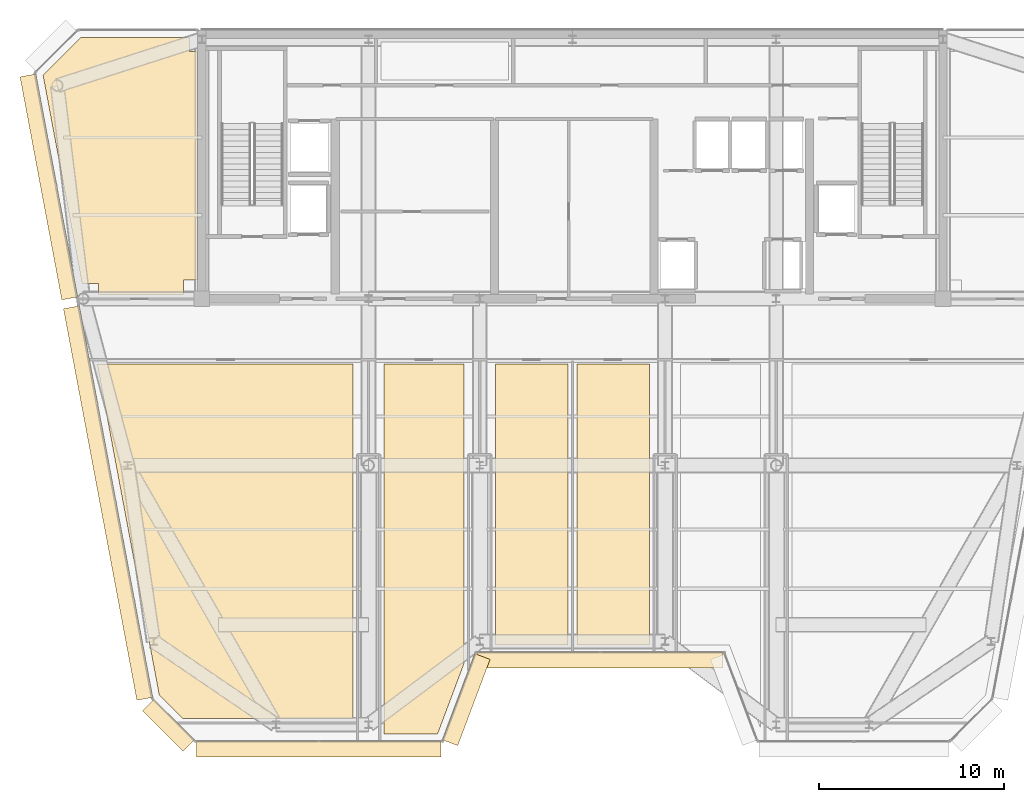
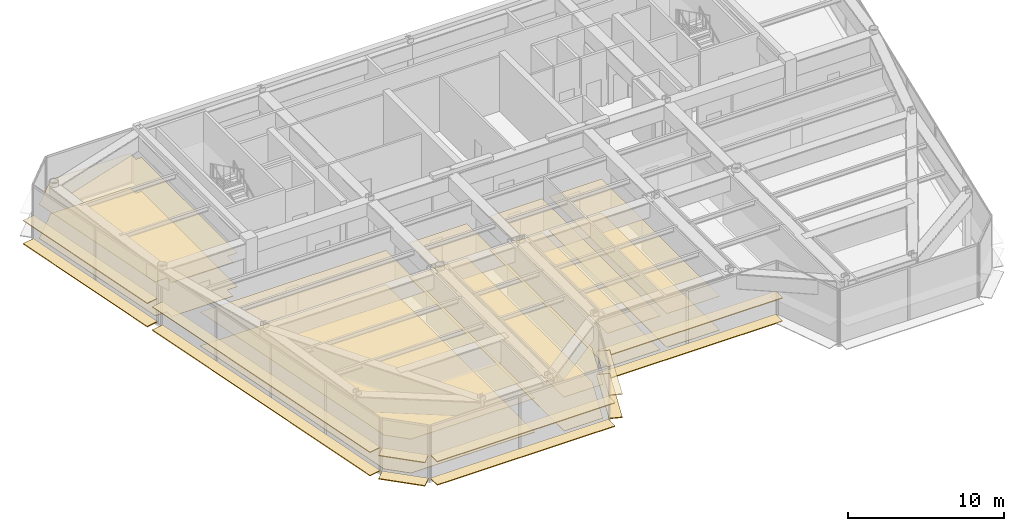
# One storey, part 14 of 20: 22 coverings.
"""IFC4 building model written with IfcOpenShell, lengths in metres."""

from ifc_helpers import new_model, si_unit, direction, frame, origin, origin_2d, place, context, subcontext, project, spatial, polyline, rectangle, outline, extrude, source, transform, mapped, material, layer, layer_set, type_object, element, save


model = new_model("IFC4")

# Units and contexts
model_context = context("Model", 3, precision=1e-05, world=origin(), true_north=direction((0.0, 1.0)))
body_context = subcontext(model_context, "Body", "Model", "MODEL_VIEW")
ifc_project = project(units=[si_unit("LENGTHUNIT", "METRE"), si_unit("AREAUNIT", "SQUARE_METRE"), si_unit("VOLUMEUNIT", "CUBIC_METRE"), si_unit("PLANEANGLEUNIT", "RADIAN"), si_unit("MASSUNIT", "GRAM", prefix="KILO")], contexts=[model_context])

# Site, building, storey
site_placement = place(None, origin())
site = spatial("IfcSite", under=ifc_project, at=site_placement, CompositionType="ELEMENT")
building_placement = place(site_placement, origin())
building = spatial("IfcBuilding", under=site, at=building_placement, Name="Vaeldorn Concourse Tower", CompositionType="ELEMENT")
storey_placement = place(building_placement, frame((0.0, 0.0, 299.199951171875)))
storey = spatial("IfcBuildingStorey", under=building, at=storey_placement, Name="L77", CompositionType="ELEMENT", Elevation=299.199951171875)

# Coverings
ifc_material_1 = material(Name="Acoustic Mineral Fibre Board", Category="gypsum")
ifc_layer_1 = layer(ifc_material_1, 0.0400390625)
ifc_layer_set_1 = layer_set([ifc_layer_1], Name="Acoustic Mineral Fibre Board")
covering_type_1 = type_object("IfcCoveringType", Name="COV-CEIL-ACOUSTIC", PredefinedType="CEILING", material=ifc_layer_set_1)
covering_1_placement = place(storey_placement, frame((0.0, 0.0, 2.650146484375)))
element("IfcCovering", 1, at=covering_1_placement, inside=storey, type_object=covering_type_1, Name="Suspended Acoustic Ceiling L77-3", PredefinedType="CEILING", context=body_context, shape_type="SweptSolid", body=[
    extrude(outline(polyline([(13.340087890625, 50.60009765625), (13.340087890625, 49.840087890625), (13.760009765625, 49.840087890625), (13.760009765625, 37.5), (13.0, 37.5), (13.0, 36.719970703125), (8.419921875, 36.719970703125), (8.419921875, 37.320068359375), (7.540283203125, 37.320068359375), (5.431884765625, 48.56640625), (7.4658203125, 50.60009765625), (13.340087890625, 50.60009765625)])), origin(), (0.0, 0.0, 1.0), 0.039794921875),
])
covering_2_placement = place(storey_placement, frame((0.0, 0.0, 2.650146484375)))
element("IfcCovering", 2, at=covering_2_placement, inside=storey, type_object=covering_type_1, Name="Suspended Acoustic Ceiling L77-5", PredefinedType="CEILING", context=body_context, shape_type="SweptSolid", body=[
    extrude(outline(polyline([(8.357421875, 32.9599609375), (22.159912109375, 32.9599609375), (22.159912109375, 13.840087890625), (12.961669921875, 13.840087890625), (11.706298828125, 15.09521484375), (11.5478515625, 15.941162109375), (11.5478515625, 15.941162109375), (8.357421875, 32.9599609375)])), origin(), (0.0, 0.0, 1.0), 0.039794921875),
])
covering_3_placement = place(storey_placement, frame((0.0, 0.0, 2.650146484375)))
element("IfcCovering", 3, at=covering_3_placement, inside=storey, type_object=covering_type_1, Name="Suspended Acoustic Ceiling L77-6", PredefinedType="CEILING", context=body_context, shape_type="SweptSolid", body=[
    extrude(outline(polyline([(23.840087890625, 13.0), (23.840087890625, 32.9599609375), (28.159912109375, 32.9599609375), (28.159912109375, 16.83251953125), (26.722900390625, 13.0), (23.840087890625, 13.0)])), origin(), (0.0, 0.0, 1.0), 0.039794921875),
])
covering_4_placement = place(storey_placement, frame((0.0, 0.0, 2.650146484375)))
element("IfcCovering", 4, at=covering_4_placement, inside=storey, type_object=covering_type_1, Name="Suspended Acoustic Ceiling L77-7", PredefinedType="CEILING", context=body_context, shape_type="SweptSolid", body=[
    extrude(outline(polyline([(29.840087890625, 32.9599609375), (33.760009765625, 32.9599609375), (33.760009765625, 17.800048828125), (29.840087890625, 17.800048828125), (29.840087890625, 32.9599609375)])), origin(), (0.0, 0.0, 1.0), 0.039794921875),
])
covering_5_placement = place(storey_placement, frame((0.0, 0.0, 2.650146484375)))
element("IfcCovering", 5, at=covering_5_placement, inside=storey, type_object=covering_type_1, Name="Suspended Acoustic Ceiling L77-8", PredefinedType="CEILING", context=body_context, shape_type="SweptSolid", body=[
    extrude(outline(polyline([(34.239990234375, 32.9599609375), (38.159912109375, 32.9599609375), (38.159912109375, 17.800048828125), (34.239990234375, 17.800048828125), (34.239990234375, 32.9599609375)])), origin(), (0.0, 0.0, 1.0), 0.039794921875),
])
ifc_material_2 = material(Name="Honed Limestone Terrazzo Flooring", Category="masonry")
ifc_layer_2 = layer(ifc_material_2, 0.0400390625)
ifc_layer_set_2 = layer_set([ifc_layer_2], Name="Honed Limestone Terrazzo Flooring")
covering_type_2 = type_object("IfcCoveringType", Name="COV-FLOOR-STONE", PredefinedType="FLOORING", material=ifc_layer_set_2)
covering_6_placement = place(storey_placement, origin())
element("IfcCovering", 6, at=covering_6_placement, inside=storey, type_object=covering_type_2, Name="Floor Finish Covering L77-3", PredefinedType="FLOORING", context=body_context, shape_type="SweptSolid", body=[
    extrude(outline(polyline([(13.340087890625, 50.60009765625), (13.340087890625, 49.840087890625), (13.760009765625, 49.840087890625), (13.760009765625, 37.5), (13.0, 37.5), (13.0, 36.719970703125), (8.419921875, 36.719970703125), (8.419921875, 37.320068359375), (7.540283203125, 37.320068359375), (5.431884765625, 48.56640625), (7.4658203125, 50.60009765625), (13.340087890625, 50.60009765625)])), origin(), (0.0, 0.0, 1.0), 0.030029296875),
])
covering_7_placement = place(storey_placement, origin())
element("IfcCovering", 7, at=covering_7_placement, inside=storey, type_object=covering_type_2, Name="Floor Finish Covering L77-5", PredefinedType="FLOORING", context=body_context, shape_type="SweptSolid", body=[
    extrude(outline(polyline([(8.357421875, 32.9599609375), (22.159912109375, 32.9599609375), (22.159912109375, 13.840087890625), (12.961669921875, 13.840087890625), (11.706298828125, 15.09521484375), (11.5478515625, 15.941162109375), (11.5478515625, 15.941162109375), (8.357421875, 32.9599609375)])), origin(), (0.0, 0.0, 1.0), 0.030029296875),
])
covering_8_placement = place(storey_placement, origin())
element("IfcCovering", 8, at=covering_8_placement, inside=storey, type_object=covering_type_2, Name="Floor Finish Covering L77-6", PredefinedType="FLOORING", context=body_context, shape_type="SweptSolid", body=[
    extrude(outline(polyline([(23.840087890625, 13.0), (23.840087890625, 32.9599609375), (28.159912109375, 32.9599609375), (28.159912109375, 16.83251953125), (26.722900390625, 13.0), (23.840087890625, 13.0)])), origin(), (0.0, 0.0, 1.0), 0.030029296875),
])
covering_9_placement = place(storey_placement, origin())
element("IfcCovering", 9, at=covering_9_placement, inside=storey, type_object=covering_type_2, Name="Floor Finish Covering L77-7", PredefinedType="FLOORING", context=body_context, shape_type="SweptSolid", body=[
    extrude(outline(polyline([(29.840087890625, 32.9599609375), (33.760009765625, 32.9599609375), (33.760009765625, 17.800048828125), (29.840087890625, 17.800048828125), (29.840087890625, 32.9599609375)])), origin(), (0.0, 0.0, 1.0), 0.030029296875),
])
covering_10_placement = place(storey_placement, origin())
element("IfcCovering", 10, at=covering_10_placement, inside=storey, type_object=covering_type_2, Name="Floor Finish Covering L77-8", PredefinedType="FLOORING", context=body_context, shape_type="SweptSolid", body=[
    extrude(outline(polyline([(34.239990234375, 32.9599609375), (38.159912109375, 32.9599609375), (38.159912109375, 17.800048828125), (34.239990234375, 17.800048828125), (34.239990234375, 32.9599609375)])), origin(), (0.0, 0.0, 1.0), 0.030029296875),
])
ifc_material_3 = material(Name="Anodised Bronze Aluminium", Category="aluminium")
ifc_layer_3 = layer(ifc_material_3, 0.06494140625)
ifc_layer_set_3 = layer_set([ifc_layer_3], Name="Anodised Bronze Aluminium")
covering_type_3 = type_object("IfcCoveringType", Name="SD-BRONZE-SUNSHADE", PredefinedType="USERDEFINED", material=ifc_layer_set_3)
shared_shape_1 = source(origin(), body_context, "Body", "SweptSolid", [
    extrude(rectangle(XDim=4.96630859375, YDim=0.8798828125, at=origin_2d()), origin(), (0.0, 0.0, 1.0), 0.06494140625),
])
for number, where, z_axis, x_axis, name in (
    (11, (28.2744140625, 14.859619140625, 0.047607421875), (0.0, 0.0, 1.0), (0.351122702609, 0.936329454686, 0.0), "Horizontal Bronze Sunshade L77-E02.1.1"),
    (12, (28.2744140625, 14.859619140625, 1.86767578125), (0.0, 0.0, 1.0), (0.351122702609, 0.936329454686, 0.0), "Horizontal Bronze Sunshade L77-E02.1.2"),
):
    element("IfcCovering", number, at=place(storey_placement, frame(where, z_axis=z_axis, x_axis=x_axis)), inside=storey, type_object=covering_type_3, Name=name, ObjectType="SUNSHADE", PredefinedType="USERDEFINED", context=body_context, shape_type="MappedRepresentation", body=[
        mapped(shared_shape_1, transform((0.0, 0.0, 0.0), scale=1.0)),
    ])
shared_shape_2 = source(origin(), body_context, "Body", "SweptSolid", [
    extrude(rectangle(XDim=13.239990234375, YDim=0.8798828125, at=origin_2d()), origin(), (0.0, 0.0, 1.0), 0.06494140625),
])
for number, where, z_axis, x_axis, name in (
    (13, (35.5, 17.0, 0.047607421875), (0.0, 0.0, 1.0), (1.0, 0.0, 0.0), "Horizontal Bronze Sunshade L77-E03.1.1"),
    (14, (35.5, 17.0, 1.86767578125), (0.0, 0.0, 1.0), (1.0, 0.0, 0.0), "Horizontal Bronze Sunshade L77-E03.1.2"),
):
    element("IfcCovering", number, at=place(storey_placement, frame(where, z_axis=z_axis, x_axis=x_axis)), inside=storey, type_object=covering_type_3, Name=name, ObjectType="SUNSHADE", PredefinedType="USERDEFINED", context=body_context, shape_type="MappedRepresentation", body=[
        mapped(shared_shape_2, transform((0.0, 0.0, 0.0), scale=1.0)),
    ])
shared_shape_3 = source(origin(), body_context, "Body", "SweptSolid", [
    extrude(rectangle(XDim=3.0927734375, YDim=0.8798828125, at=origin_2d()), origin(), (0.0, 0.0, 1.0), 0.06494140625),
])
for number, where, z_axis, x_axis, name in (
    (15, (12.203125, 13.46728515625, 0.047607421875), (0.0, 0.0, 1.0), (0.707106781187, -0.707106781187, 0.0), "Horizontal Bronze Sunshade L77-E12.1.1"),
    (16, (12.203125, 13.46728515625, 1.86767578125), (0.0, 0.0, 1.0), (0.707106781187, -0.707106781187, 0.0), "Horizontal Bronze Sunshade L77-E12.1.2"),
):
    element("IfcCovering", number, at=place(storey_placement, frame(where, z_axis=z_axis, x_axis=x_axis)), inside=storey, type_object=covering_type_3, Name=name, ObjectType="SUNSHADE", PredefinedType="USERDEFINED", context=body_context, shape_type="MappedRepresentation", body=[
        mapped(shared_shape_3, transform((0.0, 0.0, 0.0), scale=1.0)),
    ])
shared_shape_4 = source(origin(), body_context, "Body", "SweptSolid", [
    extrude(rectangle(XDim=21.49560546875, YDim=0.8798828125, at=origin_2d()), origin(), (0.0, 0.0, 1.0), 0.06494140625),
])
for number, where, z_axis, x_axis, name in (
    (17, (8.94775390625, 25.46875, 0.047607421875), (0.0, 0.0, 1.0), (0.1842429853, -0.98288072642, 0.0), "Horizontal Bronze Sunshade L77-E11.2.1"),
    (18, (8.94775390625, 25.46875, 1.86767578125), (0.0, 0.0, 1.0), (0.1842429853, -0.98288072642, 0.0), "Horizontal Bronze Sunshade L77-E11.2.2"),
):
    element("IfcCovering", number, at=place(storey_placement, frame(where, z_axis=z_axis, x_axis=x_axis)), inside=storey, type_object=covering_type_3, Name=name, ObjectType="SUNSHADE", PredefinedType="USERDEFINED", context=body_context, shape_type="MappedRepresentation", body=[
        mapped(shared_shape_4, transform((0.0, 0.0, 0.0), scale=1.0)),
    ])
shared_shape_5 = source(origin(), body_context, "Body", "SweptSolid", [
    extrude(rectangle(XDim=12.241943359375, YDim=0.8798828125, at=origin_2d()), origin(), (0.0, 0.0, 1.0), 0.06494140625),
])
for number, where, z_axis, x_axis, name in (
    (19, (5.749267578125, 42.531494140625, 0.047607421875), (0.0, 0.0, 1.0), (0.1842429853, -0.98288072642, 0.0), "Horizontal Bronze Sunshade L77-E11.1.1"),
    (20, (5.749267578125, 42.531494140625, 1.86767578125), (0.0, 0.0, 1.0), (0.1842429853, -0.98288072642, 0.0), "Horizontal Bronze Sunshade L77-E11.1.2"),
):
    element("IfcCovering", number, at=place(storey_placement, frame(where, z_axis=z_axis, x_axis=x_axis)), inside=storey, type_object=covering_type_3, Name=name, ObjectType="SUNSHADE", PredefinedType="USERDEFINED", context=body_context, shape_type="MappedRepresentation", body=[
        mapped(shared_shape_5, transform((0.0, 0.0, 0.0), scale=1.0)),
    ])
shared_shape_6 = source(origin(), body_context, "Body", "SweptSolid", [
    extrude(rectangle(XDim=13.2041015625, YDim=0.8798828125, at=origin_2d()), origin(), (0.0, 0.0, 1.0), 0.06494140625),
])
for number, where, z_axis, x_axis, name in (
    (21, (20.318115234375, 12.199951171875, 0.047607421875), (0.0, 0.0, 1.0), (1.0, 0.0, 0.0), "Horizontal Bronze Sunshade L77-E01.1.1"),
    (22, (20.318115234375, 12.199951171875, 1.86767578125), (0.0, 0.0, 1.0), (1.0, 0.0, 0.0), "Horizontal Bronze Sunshade L77-E01.1.2"),
):
    element("IfcCovering", number, at=place(storey_placement, frame(where, z_axis=z_axis, x_axis=x_axis)), inside=storey, type_object=covering_type_3, Name=name, ObjectType="SUNSHADE", PredefinedType="USERDEFINED", context=body_context, shape_type="MappedRepresentation", body=[
        mapped(shared_shape_6, transform((0.0, 0.0, 0.0), scale=1.0)),
    ])

save(model, "model.ifc")
